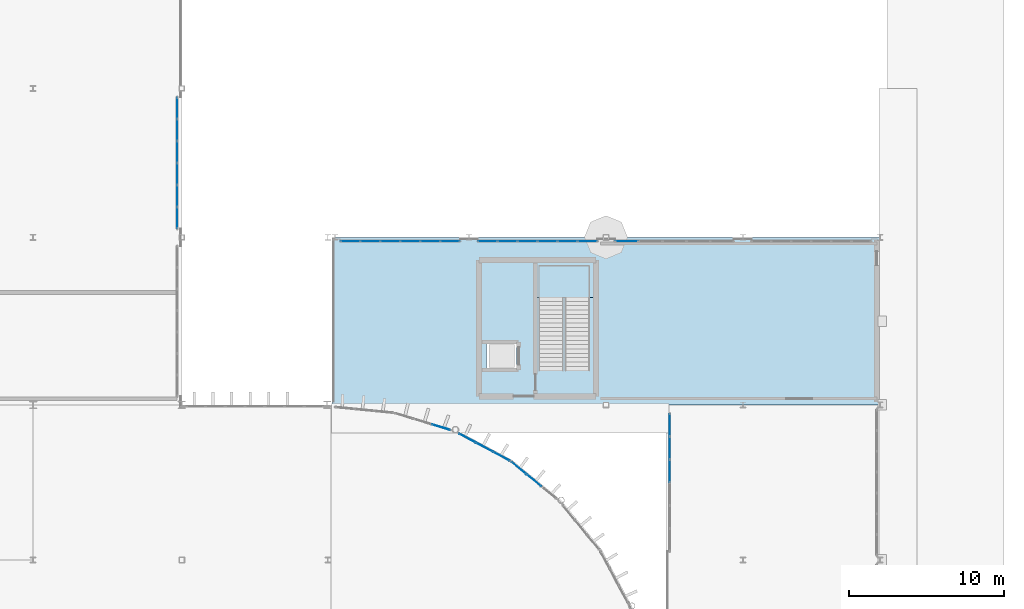
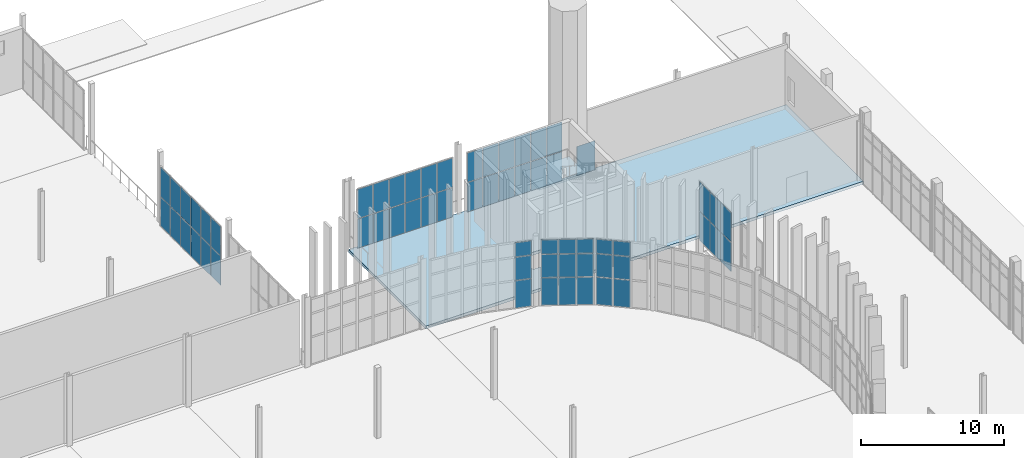
# One storey, part 86 of 139: 61 plates, 2 slabs, 9 elements without a shape of their own.
"""IFC4 building model written with IfcOpenShell, lengths in metres."""

from ifc_helpers import new_model, si_unit, direction, frame, origin, origin_2d, place, context, subcontext, project, spatial, polyline, rectangle, outline, extrude, material, layer, layer_set, type_object, element, aggregate, save


model = new_model("IFC4")

# Units and contexts
model_context = context("Model", 3, precision=1e-05, world=origin(), true_north=direction((0.0, 1.0)))
body_context = subcontext(model_context, "Body", "Model", "MODEL_VIEW")
ifc_project = project(units=[si_unit("LENGTHUNIT", "METRE"), si_unit("AREAUNIT", "SQUARE_METRE"), si_unit("VOLUMEUNIT", "CUBIC_METRE"), si_unit("PLANEANGLEUNIT", "RADIAN"), si_unit("MASSUNIT", "GRAM", prefix="KILO")], contexts=[model_context])

# Site, building, storey
site_placement = place(None, origin())
site = spatial("IfcSite", under=ifc_project, at=site_placement, CompositionType="ELEMENT")
building_placement = place(site_placement, origin())
building = spatial("IfcBuilding", under=site, at=building_placement, Name="Yeouljin Market Hall", CompositionType="ELEMENT")
storey_placement = place(building_placement, origin())
storey = spatial("IfcBuildingStorey", under=building, at=storey_placement, Name="L00", CompositionType="ELEMENT", Elevation=0.0)

# Curtain wall, plates
ifc_material_1 = material(Name="Thermally Broken Aluminium", Category="aluminium")
ifc_layer_1 = layer(ifc_material_1, 0.179931640625)
ifc_layer_set_1 = layer_set([ifc_layer_1], Name="Thermally Broken Aluminium")
curtain_wall_type_1 = type_object("IfcCurtainWallType", Name="CW_ApseCurved_System", PredefinedType="USERDEFINED", material=ifc_layer_set_1)
curtain_wall_1_placement = place(storey_placement, origin())
curtain_wall_1 = element("IfcCurtainWall", 1, at=curtain_wall_1_placement, inside=storey, type_object=curtain_wall_type_1, Name="Curtain wall CW-AP-EL00-13", ObjectType="CURTAIN WALL", PredefinedType="USERDEFINED")
ifc_material_2 = material(Name="Low-E Insulated Glass", Category="glass")
ifc_layer_2 = layer(ifc_material_2, 0.031982421875)
ifc_layer_set_2 = layer_set([ifc_layer_2], Name="Low-E Insulated Glass")
plate_type_1 = type_object("IfcPlateType", Name="CWPanel_AcousticGlass_32", PredefinedType="CURTAIN_PANEL", material=ifc_layer_set_2)
plate_1_placement = place(storey_placement, frame((153.126708984375, 73.92919921875, 0.0478515625), z_axis=(0.0, 0.0, 1.0), x_axis=(0.773017717982, -0.634384432096, 0.0)))
plate_1 = element("IfcPlate", 2, at=plate_1_placement, type_object=plate_type_1, Name="CW-03 panel 1.1", PredefinedType="CURTAIN_PANEL", context=body_context, shape_type="SweptSolid", body=[
    extrude(rectangle(XDim=1.185791015625, YDim=0.031982421875, at=origin_2d()), origin(), (0.0, 0.0, 1.0), 2.327880859375),
])
plate_2_placement = place(storey_placement, frame((153.126708984375, 73.92919921875, 2.423828125), z_axis=(0.0, 0.0, 1.0), x_axis=(0.773017717982, -0.634384432096, 0.0)))
plate_2 = element("IfcPlate", 3, at=plate_2_placement, type_object=plate_type_1, Name="CW-03 panel 1.2", PredefinedType="CURTAIN_PANEL", context=body_context, shape_type="SweptSolid", body=[
    extrude(rectangle(XDim=1.185791015625, YDim=0.031982421875, at=origin_2d()), origin(), (0.0, 0.0, 1.0), 1.951904296875),
])
plate_3_placement = place(storey_placement, frame((153.126708984375, 73.92919921875, 4.424072265625), z_axis=(0.0, 0.0, 1.0), x_axis=(0.773017717982, -0.634384432096, 0.0)))
plate_3 = element("IfcPlate", 4, at=plate_3_placement, type_object=plate_type_1, Name="CW-03 panel 1.3", PredefinedType="CURTAIN_PANEL", context=body_context, shape_type="SweptSolid", body=[
    extrude(rectangle(XDim=1.185791015625, YDim=0.031982421875, at=origin_2d()), origin(), (0.0, 0.0, 1.0), 1.2080078125),
])
plate_4_placement = place(storey_placement, frame((154.089599609375, 73.138916015625, 0.0478515625), z_axis=(0.0, 0.0, 1.0), x_axis=(0.773017717982, -0.634384432096, 0.0)))
plate_4 = element("IfcPlate", 5, at=plate_4_placement, type_object=plate_type_1, Name="CW-03 panel 2.1", PredefinedType="CURTAIN_PANEL", context=body_context, shape_type="SweptSolid", body=[
    extrude(rectangle(XDim=1.209716796875, YDim=0.031982421875, at=origin_2d()), origin(), (0.0, 0.0, 1.0), 2.327880859375),
])
plate_5_placement = place(storey_placement, frame((154.089599609375, 73.138916015625, 2.423828125), z_axis=(0.0, 0.0, 1.0), x_axis=(0.773017717982, -0.634384432096, 0.0)))
plate_5 = element("IfcPlate", 6, at=plate_5_placement, type_object=plate_type_1, Name="CW-03 panel 2.2", PredefinedType="CURTAIN_PANEL", context=body_context, shape_type="SweptSolid", body=[
    extrude(rectangle(XDim=1.209716796875, YDim=0.031982421875, at=origin_2d()), origin(), (0.0, 0.0, 1.0), 1.951904296875),
])
plate_6_placement = place(storey_placement, frame((154.089599609375, 73.138916015625, 4.424072265625), z_axis=(0.0, 0.0, 1.0), x_axis=(0.773017717982, -0.634384432096, 0.0)))
plate_6 = element("IfcPlate", 7, at=plate_6_placement, type_object=plate_type_1, Name="CW-03 panel 2.3", PredefinedType="CURTAIN_PANEL", context=body_context, shape_type="SweptSolid", body=[
    extrude(rectangle(XDim=1.209716796875, YDim=0.031982421875, at=origin_2d()), origin(), (0.0, 0.0, 1.0), 1.2080078125),
])
aggregate(curtain_wall_1, [plate_1, plate_2, plate_3, plate_4, plate_5, plate_6])

curtain_wall_2_placement = place(storey_placement, origin())
curtain_wall_2 = element("IfcCurtainWall", 8, at=curtain_wall_2_placement, inside=storey, type_object=curtain_wall_type_1, Name="Curtain wall CW-AP-EL00-14", ObjectType="CURTAIN WALL", PredefinedType="USERDEFINED")
plate_7_placement = place(storey_placement, frame((149.802490234375, 75.8564453125, 0.0478515625), z_axis=(0.0, 0.0, 1.0), x_axis=(0.881931478712, -0.471377626598, 0.0)))
plate_7 = element("IfcPlate", 9, at=plate_7_placement, type_object=plate_type_1, Name="CW-03 panel 1.1", PredefinedType="CURTAIN_PANEL", context=body_context, shape_type="SweptSolid", body=[
    extrude(rectangle(XDim=1.185791015625, YDim=0.031982421875, at=origin_2d()), origin(), (0.0, 0.0, 1.0), 2.327880859375),
])
plate_8_placement = place(storey_placement, frame((149.802490234375, 75.8564453125, 2.423828125), z_axis=(0.0, 0.0, 1.0), x_axis=(0.881931478712, -0.471377626598, 0.0)))
plate_8 = element("IfcPlate", 10, at=plate_8_placement, type_object=plate_type_1, Name="CW-03 panel 1.2", PredefinedType="CURTAIN_PANEL", context=body_context, shape_type="SweptSolid", body=[
    extrude(rectangle(XDim=1.185791015625, YDim=0.031982421875, at=origin_2d()), origin(), (0.0, 0.0, 1.0), 1.951904296875),
])
plate_9_placement = place(storey_placement, frame((149.802490234375, 75.8564453125, 4.424072265625), z_axis=(0.0, 0.0, 1.0), x_axis=(0.881931478712, -0.471377626598, 0.0)))
plate_9 = element("IfcPlate", 11, at=plate_9_placement, type_object=plate_type_1, Name="CW-03 panel 1.3", PredefinedType="CURTAIN_PANEL", context=body_context, shape_type="SweptSolid", body=[
    extrude(rectangle(XDim=1.185791015625, YDim=0.031982421875, at=origin_2d()), origin(), (0.0, 0.0, 1.0), 1.2080078125),
])
plate_10_placement = place(storey_placement, frame((150.901123046875, 75.269287109375, 0.0478515625), z_axis=(0.0, 0.0, 1.0), x_axis=(0.881931478712, -0.471377626598, 0.0)))
plate_10 = element("IfcPlate", 12, at=plate_10_placement, type_object=plate_type_1, Name="CW-03 panel 2.1", PredefinedType="CURTAIN_PANEL", context=body_context, shape_type="SweptSolid", body=[
    extrude(rectangle(XDim=1.209716796875, YDim=0.031982421875, at=origin_2d()), origin(), (0.0, 0.0, 1.0), 2.327880859375),
])
plate_11_placement = place(storey_placement, frame((150.901123046875, 75.269287109375, 2.423828125), z_axis=(0.0, 0.0, 1.0), x_axis=(0.881931478712, -0.471377626598, 0.0)))
plate_11 = element("IfcPlate", 13, at=plate_11_placement, type_object=plate_type_1, Name="CW-03 panel 2.2", PredefinedType="CURTAIN_PANEL", context=body_context, shape_type="SweptSolid", body=[
    extrude(rectangle(XDim=1.209716796875, YDim=0.031982421875, at=origin_2d()), origin(), (0.0, 0.0, 1.0), 1.951904296875),
])
plate_12_placement = place(storey_placement, frame((150.901123046875, 75.269287109375, 4.424072265625), z_axis=(0.0, 0.0, 1.0), x_axis=(0.881931478712, -0.471377626598, 0.0)))
plate_12 = element("IfcPlate", 14, at=plate_12_placement, type_object=plate_type_1, Name="CW-03 panel 2.3", PredefinedType="CURTAIN_PANEL", context=body_context, shape_type="SweptSolid", body=[
    extrude(rectangle(XDim=1.209716796875, YDim=0.031982421875, at=origin_2d()), origin(), (0.0, 0.0, 1.0), 1.2080078125),
])
plate_13_placement = place(storey_placement, frame((151.999755859375, 74.68212890625, 0.0478515625), z_axis=(0.0, 0.0, 1.0), x_axis=(0.881931478712, -0.471377626598, 0.0)))
plate_13 = element("IfcPlate", 15, at=plate_13_placement, type_object=plate_type_1, Name="CW-03 panel 3.1", PredefinedType="CURTAIN_PANEL", context=body_context, shape_type="SweptSolid", body=[
    extrude(rectangle(XDim=1.185791015625, YDim=0.031982421875, at=origin_2d()), origin(), (0.0, 0.0, 1.0), 2.327880859375),
])
plate_14_placement = place(storey_placement, frame((151.999755859375, 74.68212890625, 2.423828125), z_axis=(0.0, 0.0, 1.0), x_axis=(0.881931478712, -0.471377626598, 0.0)))
plate_14 = element("IfcPlate", 16, at=plate_14_placement, type_object=plate_type_1, Name="CW-03 panel 3.2", PredefinedType="CURTAIN_PANEL", context=body_context, shape_type="SweptSolid", body=[
    extrude(rectangle(XDim=1.185791015625, YDim=0.031982421875, at=origin_2d()), origin(), (0.0, 0.0, 1.0), 1.951904296875),
])
plate_15_placement = place(storey_placement, frame((151.999755859375, 74.68212890625, 4.424072265625), z_axis=(0.0, 0.0, 1.0), x_axis=(0.881931478712, -0.471377626598, 0.0)))
plate_15 = element("IfcPlate", 17, at=plate_15_placement, type_object=plate_type_1, Name="CW-03 panel 3.3", PredefinedType="CURTAIN_PANEL", context=body_context, shape_type="SweptSolid", body=[
    extrude(rectangle(XDim=1.185791015625, YDim=0.031982421875, at=origin_2d()), origin(), (0.0, 0.0, 1.0), 1.2080078125),
])
aggregate(curtain_wall_2, [plate_7, plate_8, plate_9, plate_10, plate_11, plate_12, plate_13, plate_14, plate_15])

curtain_wall_3_placement = place(storey_placement, origin())
curtain_wall_3 = element("IfcCurtainWall", 18, at=curtain_wall_3_placement, inside=storey, type_object=curtain_wall_type_1, Name="Curtain wall CW-AP-EL00-15", ObjectType="CURTAIN WALL", PredefinedType="USERDEFINED")
plate_16_placement = place(storey_placement, frame((148.109130859375, 76.557861328125, 0.0478515625), z_axis=(0.0, 0.0, 1.0), x_axis=(0.95693988447, -0.290286164863, 0.0)))
plate_16 = element("IfcPlate", 19, at=plate_16_placement, type_object=plate_type_1, Name="CW-03 panel 3.1", PredefinedType="CURTAIN_PANEL", context=body_context, shape_type="SweptSolid", body=[
    extrude(rectangle(XDim=1.185791015625, YDim=0.031982421875, at=origin_2d()), origin(), (0.0, 0.0, 1.0), 2.327880859375),
])
plate_17_placement = place(storey_placement, frame((148.109130859375, 76.557861328125, 2.423828125), z_axis=(0.0, 0.0, 1.0), x_axis=(0.95693988447, -0.290286164863, 0.0)))
plate_17 = element("IfcPlate", 20, at=plate_17_placement, type_object=plate_type_1, Name="CW-03 panel 3.2", PredefinedType="CURTAIN_PANEL", context=body_context, shape_type="SweptSolid", body=[
    extrude(rectangle(XDim=1.185791015625, YDim=0.031982421875, at=origin_2d()), origin(), (0.0, 0.0, 1.0), 1.951904296875),
])
plate_18_placement = place(storey_placement, frame((148.109130859375, 76.557861328125, 4.424072265625), z_axis=(0.0, 0.0, 1.0), x_axis=(0.95693988447, -0.290286164863, 0.0)))
plate_18 = element("IfcPlate", 21, at=plate_18_placement, type_object=plate_type_1, Name="CW-03 panel 3.3", PredefinedType="CURTAIN_PANEL", context=body_context, shape_type="SweptSolid", body=[
    extrude(rectangle(XDim=1.185791015625, YDim=0.031982421875, at=origin_2d()), origin(), (0.0, 0.0, 1.0), 1.2080078125),
])
aggregate(curtain_wall_3, [plate_16, plate_17, plate_18])

ifc_material_3 = material(Name="Thermally Broken Aluminium", Category="aluminium")
ifc_layer_3 = layer(ifc_material_3, 0.14990234375)
ifc_layer_set_3 = layer_set([ifc_layer_3], Name="Thermally Broken Aluminium")
curtain_wall_type_2 = type_object("IfcCurtainWallType", Name="CW_WingStorefront_System", PredefinedType="USERDEFINED", material=ifc_layer_set_3)
curtain_wall_4_placement = place(storey_placement, origin())
curtain_wall_4 = element("IfcCurtainWall", 22, at=curtain_wall_4_placement, inside=storey, type_object=curtain_wall_type_2, Name="Curtain wall CW-CRT-L00-09", ObjectType="CURTAIN WALL", PredefinedType="USERDEFINED")
ifc_material_4 = material(Name="Low-E Insulated Glass", Category="glass")
ifc_layer_4 = layer(ifc_material_4, 0.028076171875)
ifc_layer_set_4 = layer_set([ifc_layer_4], Name="Low-E Insulated Glass")
plate_type_2 = type_object("IfcPlateType", Name="CWPanel_LowE_28", PredefinedType="CURTAIN_PANEL", material=ifc_layer_set_4)
plate_19_placement = place(storey_placement, frame((142.2578125, 88.550048828125, 0.0478515625), z_axis=(0.0, 0.0, 1.0), x_axis=(1.0, 0.0, 0.0)))
plate_19 = element("IfcPlate", 23, at=plate_19_placement, type_object=plate_type_2, Name="CW-04 panel 1.1", PredefinedType="CURTAIN_PANEL", context=body_context, shape_type="SweptSolid", body=[
    extrude(rectangle(XDim=1.2197265625, YDim=0.028076171875, at=origin_2d()), origin(), (0.0, 0.0, 1.0), 2.488037109375),
])
plate_20_placement = place(storey_placement, frame((142.2578125, 88.550048828125, 2.583984375), z_axis=(0.0, 0.0, 1.0), x_axis=(1.0, 0.0, 0.0)))
plate_20 = element("IfcPlate", 24, at=plate_20_placement, type_object=plate_type_2, Name="CW-04 panel 1.2", PredefinedType="CURTAIN_PANEL", context=body_context, shape_type="SweptSolid", body=[
    extrude(rectangle(XDim=1.2197265625, YDim=0.028076171875, at=origin_2d()), origin(), (0.0, 0.0, 1.0), 2.488037109375),
])
plate_21_placement = place(storey_placement, frame((143.53759765625, 88.550048828125, 0.0478515625), z_axis=(0.0, 0.0, 1.0), x_axis=(1.0, 0.0, 0.0)))
plate_21 = element("IfcPlate", 25, at=plate_21_placement, type_object=plate_type_2, Name="CW-04 panel 2.1", PredefinedType="CURTAIN_PANEL", context=body_context, shape_type="SweptSolid", body=[
    extrude(rectangle(XDim=1.24365234375, YDim=0.028076171875, at=origin_2d()), origin(), (0.0, 0.0, 1.0), 2.488037109375),
])
plate_22_placement = place(storey_placement, frame((143.53759765625, 88.550048828125, 2.583984375), z_axis=(0.0, 0.0, 1.0), x_axis=(1.0, 0.0, 0.0)))
plate_22 = element("IfcPlate", 26, at=plate_22_placement, type_object=plate_type_2, Name="CW-04 panel 2.2", PredefinedType="CURTAIN_PANEL", context=body_context, shape_type="SweptSolid", body=[
    extrude(rectangle(XDim=1.24365234375, YDim=0.028076171875, at=origin_2d()), origin(), (0.0, 0.0, 1.0), 2.488037109375),
])
plate_23_placement = place(storey_placement, frame((144.8291015625, 88.550048828125, 0.0478515625), z_axis=(0.0, 0.0, 1.0), x_axis=(1.0, 0.0, 0.0)))
plate_23 = element("IfcPlate", 27, at=plate_23_placement, type_object=plate_type_2, Name="CW-04 panel 3.1", PredefinedType="CURTAIN_PANEL", context=body_context, shape_type="SweptSolid", body=[
    extrude(rectangle(XDim=1.24365234375, YDim=0.028076171875, at=origin_2d()), origin(), (0.0, 0.0, 1.0), 2.488037109375),
])
plate_24_placement = place(storey_placement, frame((144.8291015625, 88.550048828125, 2.583984375), z_axis=(0.0, 0.0, 1.0), x_axis=(1.0, 0.0, 0.0)))
plate_24 = element("IfcPlate", 28, at=plate_24_placement, type_object=plate_type_2, Name="CW-04 panel 3.2", PredefinedType="CURTAIN_PANEL", context=body_context, shape_type="SweptSolid", body=[
    extrude(rectangle(XDim=1.24365234375, YDim=0.028076171875, at=origin_2d()), origin(), (0.0, 0.0, 1.0), 2.488037109375),
])
plate_25_placement = place(storey_placement, frame((146.120849609375, 88.550048828125, 0.0478515625), z_axis=(0.0, 0.0, 1.0), x_axis=(1.0, 0.0, 0.0)))
plate_25 = element("IfcPlate", 29, at=plate_25_placement, type_object=plate_type_2, Name="CW-04 panel 4.1", PredefinedType="CURTAIN_PANEL", context=body_context, shape_type="SweptSolid", body=[
    extrude(rectangle(XDim=1.24365234375, YDim=0.028076171875, at=origin_2d()), origin(), (0.0, 0.0, 1.0), 2.488037109375),
])
plate_26_placement = place(storey_placement, frame((146.120849609375, 88.550048828125, 2.583984375), z_axis=(0.0, 0.0, 1.0), x_axis=(1.0, 0.0, 0.0)))
plate_26 = element("IfcPlate", 30, at=plate_26_placement, type_object=plate_type_2, Name="CW-04 panel 4.2", PredefinedType="CURTAIN_PANEL", context=body_context, shape_type="SweptSolid", body=[
    extrude(rectangle(XDim=1.24365234375, YDim=0.028076171875, at=origin_2d()), origin(), (0.0, 0.0, 1.0), 2.488037109375),
])
plate_27_placement = place(storey_placement, frame((147.41259765625, 88.550048828125, 0.0478515625), z_axis=(0.0, 0.0, 1.0), x_axis=(1.0, 0.0, 0.0)))
plate_27 = element("IfcPlate", 31, at=plate_27_placement, type_object=plate_type_2, Name="CW-04 panel 5.1", PredefinedType="CURTAIN_PANEL", context=body_context, shape_type="SweptSolid", body=[
    extrude(rectangle(XDim=1.24365234375, YDim=0.028076171875, at=origin_2d()), origin(), (0.0, 0.0, 1.0), 2.488037109375),
])
plate_28_placement = place(storey_placement, frame((147.41259765625, 88.550048828125, 2.583984375), z_axis=(0.0, 0.0, 1.0), x_axis=(1.0, 0.0, 0.0)))
plate_28 = element("IfcPlate", 32, at=plate_28_placement, type_object=plate_type_2, Name="CW-04 panel 5.2", PredefinedType="CURTAIN_PANEL", context=body_context, shape_type="SweptSolid", body=[
    extrude(rectangle(XDim=1.24365234375, YDim=0.028076171875, at=origin_2d()), origin(), (0.0, 0.0, 1.0), 2.488037109375),
])
plate_29_placement = place(storey_placement, frame((148.692138671875, 88.550048828125, 0.0478515625), z_axis=(0.0, 0.0, 1.0), x_axis=(1.0, 0.0, 0.0)))
plate_29 = element("IfcPlate", 33, at=plate_29_placement, type_object=plate_type_2, Name="CW-04 panel 6.1", PredefinedType="CURTAIN_PANEL", context=body_context, shape_type="SweptSolid", body=[
    extrude(rectangle(XDim=1.2197265625, YDim=0.028076171875, at=origin_2d()), origin(), (0.0, 0.0, 1.0), 2.488037109375),
])
plate_30_placement = place(storey_placement, frame((148.692138671875, 88.550048828125, 2.583984375), z_axis=(0.0, 0.0, 1.0), x_axis=(1.0, 0.0, 0.0)))
plate_30 = element("IfcPlate", 34, at=plate_30_placement, type_object=plate_type_2, Name="CW-04 panel 6.2", PredefinedType="CURTAIN_PANEL", context=body_context, shape_type="SweptSolid", body=[
    extrude(rectangle(XDim=1.2197265625, YDim=0.028076171875, at=origin_2d()), origin(), (0.0, 0.0, 1.0), 2.488037109375),
])
aggregate(curtain_wall_4, [plate_19, plate_20, plate_21, plate_22, plate_23, plate_24, plate_25, plate_26, plate_27, plate_28, plate_29, plate_30])

curtain_wall_5_placement = place(storey_placement, origin())
curtain_wall_5 = element("IfcCurtainWall", 35, at=curtain_wall_5_placement, inside=storey, type_object=curtain_wall_type_2, Name="Curtain wall CW-CRT-L00-10", ObjectType="CURTAIN WALL", PredefinedType="USERDEFINED")
plate_31_placement = place(storey_placement, frame((151.10791015625, 88.550048828125, 0.0478515625), z_axis=(0.0, 0.0, 1.0), x_axis=(1.0, 0.0, 0.0)))
plate_31 = element("IfcPlate", 36, at=plate_31_placement, type_object=plate_type_2, Name="CW-04 panel 1.1", PredefinedType="CURTAIN_PANEL", context=body_context, shape_type="SweptSolid", body=[
    extrude(rectangle(XDim=1.2197265625, YDim=0.028076171875, at=origin_2d()), origin(), (0.0, 0.0, 1.0), 2.488037109375),
])
plate_32_placement = place(storey_placement, frame((151.10791015625, 88.550048828125, 2.583984375), z_axis=(0.0, 0.0, 1.0), x_axis=(1.0, 0.0, 0.0)))
plate_32 = element("IfcPlate", 37, at=plate_32_placement, type_object=plate_type_2, Name="CW-04 panel 1.2", PredefinedType="CURTAIN_PANEL", context=body_context, shape_type="SweptSolid", body=[
    extrude(rectangle(XDim=1.2197265625, YDim=0.028076171875, at=origin_2d()), origin(), (0.0, 0.0, 1.0), 2.488037109375),
])
plate_33_placement = place(storey_placement, frame((152.387451171875, 88.550048828125, 0.0478515625), z_axis=(0.0, 0.0, 1.0), x_axis=(1.0, 0.0, 0.0)))
plate_33 = element("IfcPlate", 38, at=plate_33_placement, type_object=plate_type_2, Name="CW-04 panel 2.1", PredefinedType="CURTAIN_PANEL", context=body_context, shape_type="SweptSolid", body=[
    extrude(rectangle(XDim=1.24365234375, YDim=0.028076171875, at=origin_2d()), origin(), (0.0, 0.0, 1.0), 2.488037109375),
])
plate_34_placement = place(storey_placement, frame((152.387451171875, 88.550048828125, 2.583984375), z_axis=(0.0, 0.0, 1.0), x_axis=(1.0, 0.0, 0.0)))
plate_34 = element("IfcPlate", 39, at=plate_34_placement, type_object=plate_type_2, Name="CW-04 panel 2.2", PredefinedType="CURTAIN_PANEL", context=body_context, shape_type="SweptSolid", body=[
    extrude(rectangle(XDim=1.24365234375, YDim=0.028076171875, at=origin_2d()), origin(), (0.0, 0.0, 1.0), 2.488037109375),
])
plate_35_placement = place(storey_placement, frame((153.67919921875, 88.550048828125, 0.0478515625), z_axis=(0.0, 0.0, 1.0), x_axis=(1.0, 0.0, 0.0)))
plate_35 = element("IfcPlate", 40, at=plate_35_placement, type_object=plate_type_2, Name="CW-04 panel 3.1", PredefinedType="CURTAIN_PANEL", context=body_context, shape_type="SweptSolid", body=[
    extrude(rectangle(XDim=1.24365234375, YDim=0.028076171875, at=origin_2d()), origin(), (0.0, 0.0, 1.0), 2.488037109375),
])
plate_36_placement = place(storey_placement, frame((153.67919921875, 88.550048828125, 2.583984375), z_axis=(0.0, 0.0, 1.0), x_axis=(1.0, 0.0, 0.0)))
plate_36 = element("IfcPlate", 41, at=plate_36_placement, type_object=plate_type_2, Name="CW-04 panel 3.2", PredefinedType="CURTAIN_PANEL", context=body_context, shape_type="SweptSolid", body=[
    extrude(rectangle(XDim=1.24365234375, YDim=0.028076171875, at=origin_2d()), origin(), (0.0, 0.0, 1.0), 2.488037109375),
])
plate_37_placement = place(storey_placement, frame((154.970947265625, 88.550048828125, 0.0478515625), z_axis=(0.0, 0.0, 1.0), x_axis=(1.0, 0.0, 0.0)))
plate_37 = element("IfcPlate", 42, at=plate_37_placement, type_object=plate_type_2, Name="CW-04 panel 4.1", PredefinedType="CURTAIN_PANEL", context=body_context, shape_type="SweptSolid", body=[
    extrude(rectangle(XDim=1.24365234375, YDim=0.028076171875, at=origin_2d()), origin(), (0.0, 0.0, 1.0), 2.488037109375),
])
plate_38_placement = place(storey_placement, frame((154.970947265625, 88.550048828125, 2.583984375), z_axis=(0.0, 0.0, 1.0), x_axis=(1.0, 0.0, 0.0)))
plate_38 = element("IfcPlate", 43, at=plate_38_placement, type_object=plate_type_2, Name="CW-04 panel 4.2", PredefinedType="CURTAIN_PANEL", context=body_context, shape_type="SweptSolid", body=[
    extrude(rectangle(XDim=1.24365234375, YDim=0.028076171875, at=origin_2d()), origin(), (0.0, 0.0, 1.0), 2.488037109375),
])
plate_39_placement = place(storey_placement, frame((156.262451171875, 88.550048828125, 0.0478515625), z_axis=(0.0, 0.0, 1.0), x_axis=(1.0, 0.0, 0.0)))
plate_39 = element("IfcPlate", 44, at=plate_39_placement, type_object=plate_type_2, Name="CW-04 panel 5.1", PredefinedType="CURTAIN_PANEL", context=body_context, shape_type="SweptSolid", body=[
    extrude(rectangle(XDim=1.24365234375, YDim=0.028076171875, at=origin_2d()), origin(), (0.0, 0.0, 1.0), 2.488037109375),
])
plate_40_placement = place(storey_placement, frame((156.262451171875, 88.550048828125, 2.583984375), z_axis=(0.0, 0.0, 1.0), x_axis=(1.0, 0.0, 0.0)))
plate_40 = element("IfcPlate", 45, at=plate_40_placement, type_object=plate_type_2, Name="CW-04 panel 5.2", PredefinedType="CURTAIN_PANEL", context=body_context, shape_type="SweptSolid", body=[
    extrude(rectangle(XDim=1.24365234375, YDim=0.028076171875, at=origin_2d()), origin(), (0.0, 0.0, 1.0), 2.488037109375),
])
plate_41_placement = place(storey_placement, frame((157.542236328125, 88.550048828125, 0.0478515625), z_axis=(0.0, 0.0, 1.0), x_axis=(1.0, 0.0, 0.0)))
plate_41 = element("IfcPlate", 46, at=plate_41_placement, type_object=plate_type_2, Name="CW-04 panel 6.1", PredefinedType="CURTAIN_PANEL", context=body_context, shape_type="SweptSolid", body=[
    extrude(rectangle(XDim=1.2197265625, YDim=0.028076171875, at=origin_2d()), origin(), (0.0, 0.0, 1.0), 2.488037109375),
])
plate_42_placement = place(storey_placement, frame((157.542236328125, 88.550048828125, 2.583984375), z_axis=(0.0, 0.0, 1.0), x_axis=(1.0, 0.0, 0.0)))
plate_42 = element("IfcPlate", 47, at=plate_42_placement, type_object=plate_type_2, Name="CW-04 panel 6.2", PredefinedType="CURTAIN_PANEL", context=body_context, shape_type="SweptSolid", body=[
    extrude(rectangle(XDim=1.2197265625, YDim=0.028076171875, at=origin_2d()), origin(), (0.0, 0.0, 1.0), 2.488037109375),
])
aggregate(curtain_wall_5, [plate_31, plate_32, plate_33, plate_34, plate_35, plate_36, plate_37, plate_38, plate_39, plate_40, plate_41, plate_42])

# Curtain wall, plate
curtain_wall_6_placement = place(storey_placement, origin())
curtain_wall_6 = element("IfcCurtainWall", 48, at=curtain_wall_6_placement, inside=storey, type_object=curtain_wall_type_2, Name="Curtain wall CW-CRT-L00-11", ObjectType="CURTAIN WALL", PredefinedType="USERDEFINED")
plate_43_placement = place(storey_placement, frame((160.08203125, 88.550048828125, 0.0478515625), z_axis=(0.0, 0.0, 1.0), x_axis=(1.0, 0.0, 0.0)))
plate_43 = element("IfcPlate", 49, at=plate_43_placement, type_object=plate_type_2, Name="CW-04 panel 1.1", PredefinedType="CURTAIN_PANEL", context=body_context, shape_type="SweptSolid", body=[
    extrude(rectangle(XDim=1.468017578125, YDim=0.028076171875, at=origin_2d()), origin(), (0.0, 0.0, 1.0), 2.488037109375),
])
aggregate(curtain_wall_6, [plate_43])

# Curtain wall, plates
curtain_wall_7_placement = place(storey_placement, origin())
curtain_wall_7 = element("IfcCurtainWall", 50, at=curtain_wall_7_placement, inside=storey, type_object=curtain_wall_type_2, Name="Curtain wall CW-CRT-L00-14", ObjectType="CURTAIN WALL", PredefinedType="USERDEFINED")
plate_44_placement = place(storey_placement, frame((162.85009765625, 76.6962890625, 0.0478515625), z_axis=(0.0, 0.0, 1.0), x_axis=(0.0, -1.0, 0.0)))
plate_44 = element("IfcPlate", 51, at=plate_44_placement, type_object=plate_type_2, Name="CW-04 panel 1.1", PredefinedType="CURTAIN_PANEL", context=body_context, shape_type="SweptSolid", body=[
    extrude(rectangle(XDim=1.411376953125, YDim=0.028076171875, at=origin_2d()), origin(), (0.0, 0.0, 1.0), 2.488037109375),
])
plate_45_placement = place(storey_placement, frame((162.85009765625, 76.6962890625, 2.583984375), z_axis=(0.0, 0.0, 1.0), x_axis=(0.0, -1.0, 0.0)))
plate_45 = element("IfcPlate", 52, at=plate_45_placement, type_object=plate_type_2, Name="CW-04 panel 1.2", PredefinedType="CURTAIN_PANEL", context=body_context, shape_type="SweptSolid", body=[
    extrude(rectangle(XDim=1.411376953125, YDim=0.028076171875, at=origin_2d()), origin(), (0.0, 0.0, 1.0), 2.488037109375),
])
plate_46_placement = place(storey_placement, frame((162.85009765625, 75.22509765625, 0.0478515625), z_axis=(0.0, 0.0, 1.0), x_axis=(0.0, -1.0, 0.0)))
plate_46 = element("IfcPlate", 53, at=plate_46_placement, type_object=plate_type_2, Name="CW-04 panel 2.1", PredefinedType="CURTAIN_PANEL", context=body_context, shape_type="SweptSolid", body=[
    extrude(rectangle(XDim=1.435302734375, YDim=0.028076171875, at=origin_2d()), origin(), (0.0, 0.0, 1.0), 2.488037109375),
])
plate_47_placement = place(storey_placement, frame((162.85009765625, 75.22509765625, 2.583984375), z_axis=(0.0, 0.0, 1.0), x_axis=(0.0, -1.0, 0.0)))
plate_47 = element("IfcPlate", 54, at=plate_47_placement, type_object=plate_type_2, Name="CW-04 panel 2.2", PredefinedType="CURTAIN_PANEL", context=body_context, shape_type="SweptSolid", body=[
    extrude(rectangle(XDim=1.435302734375, YDim=0.028076171875, at=origin_2d()), origin(), (0.0, 0.0, 1.0), 2.488037109375),
])
plate_48_placement = place(storey_placement, frame((162.85009765625, 73.74169921875, 0.0478515625), z_axis=(0.0, 0.0, 1.0), x_axis=(0.0, -1.0, 0.0)))
plate_48 = element("IfcPlate", 55, at=plate_48_placement, type_object=plate_type_2, Name="CW-04 panel 3.1", PredefinedType="CURTAIN_PANEL", context=body_context, shape_type="SweptSolid", body=[
    extrude(rectangle(XDim=1.435302734375, YDim=0.028076171875, at=origin_2d()), origin(), (0.0, 0.0, 1.0), 2.488037109375),
])
plate_49_placement = place(storey_placement, frame((162.85009765625, 73.74169921875, 2.583984375), z_axis=(0.0, 0.0, 1.0), x_axis=(0.0, -1.0, 0.0)))
plate_49 = element("IfcPlate", 56, at=plate_49_placement, type_object=plate_type_2, Name="CW-04 panel 3.2", PredefinedType="CURTAIN_PANEL", context=body_context, shape_type="SweptSolid", body=[
    extrude(rectangle(XDim=1.435302734375, YDim=0.028076171875, at=origin_2d()), origin(), (0.0, 0.0, 1.0), 2.488037109375),
])
aggregate(curtain_wall_7, [plate_44, plate_45, plate_46, plate_47, plate_48, plate_49])

curtain_wall_8_placement = place(storey_placement, origin())
curtain_wall_8 = element("IfcCurtainWall", 57, at=curtain_wall_8_placement, inside=storey, type_object=curtain_wall_type_2, Name="Curtain wall CW-CRT-L00-19", ObjectType="CURTAIN WALL", PredefinedType="USERDEFINED")
plate_50_placement = place(storey_placement, frame((131.10009765625, 97.129638671875, 0.0478515625), z_axis=(0.0, 0.0, 1.0), x_axis=(0.0, -1.0, 0.0)))
plate_50 = element("IfcPlate", 58, at=plate_50_placement, type_object=plate_type_2, Name="CW-04 panel 1.1", PredefinedType="CURTAIN_PANEL", context=body_context, shape_type="SweptSolid", body=[
    extrude(rectangle(XDim=1.3447265625, YDim=0.028076171875, at=origin_2d()), origin(), (0.0, 0.0, 1.0), 2.488037109375),
])
plate_51_placement = place(storey_placement, frame((131.10009765625, 97.129638671875, 2.583984375), z_axis=(0.0, 0.0, 1.0), x_axis=(0.0, -1.0, 0.0)))
plate_51 = element("IfcPlate", 59, at=plate_51_placement, type_object=plate_type_2, Name="CW-04 panel 1.2", PredefinedType="CURTAIN_PANEL", context=body_context, shape_type="SweptSolid", body=[
    extrude(rectangle(XDim=1.3447265625, YDim=0.028076171875, at=origin_2d()), origin(), (0.0, 0.0, 1.0), 2.488037109375),
])
plate_52_placement = place(storey_placement, frame((131.10009765625, 95.72509765625, 0.0478515625), z_axis=(0.0, 0.0, 1.0), x_axis=(0.0, -1.0, 0.0)))
plate_52 = element("IfcPlate", 60, at=plate_52_placement, type_object=plate_type_2, Name="CW-04 panel 2.1", PredefinedType="CURTAIN_PANEL", context=body_context, shape_type="SweptSolid", body=[
    extrude(rectangle(XDim=1.36865234375, YDim=0.028076171875, at=origin_2d()), origin(), (0.0, 0.0, 1.0), 2.488037109375),
])
plate_53_placement = place(storey_placement, frame((131.10009765625, 95.72509765625, 2.583984375), z_axis=(0.0, 0.0, 1.0), x_axis=(0.0, -1.0, 0.0)))
plate_53 = element("IfcPlate", 61, at=plate_53_placement, type_object=plate_type_2, Name="CW-04 panel 2.2", PredefinedType="CURTAIN_PANEL", context=body_context, shape_type="SweptSolid", body=[
    extrude(rectangle(XDim=1.36865234375, YDim=0.028076171875, at=origin_2d()), origin(), (0.0, 0.0, 1.0), 2.488037109375),
])
plate_54_placement = place(storey_placement, frame((131.10009765625, 94.308349609375, 0.0478515625), z_axis=(0.0, 0.0, 1.0), x_axis=(0.0, -1.0, 0.0)))
plate_54 = element("IfcPlate", 62, at=plate_54_placement, type_object=plate_type_2, Name="CW-04 panel 3.1", PredefinedType="CURTAIN_PANEL", context=body_context, shape_type="SweptSolid", body=[
    extrude(rectangle(XDim=1.36865234375, YDim=0.028076171875, at=origin_2d()), origin(), (0.0, 0.0, 1.0), 2.488037109375),
])
plate_55_placement = place(storey_placement, frame((131.10009765625, 94.308349609375, 2.583984375), z_axis=(0.0, 0.0, 1.0), x_axis=(0.0, -1.0, 0.0)))
plate_55 = element("IfcPlate", 63, at=plate_55_placement, type_object=plate_type_2, Name="CW-04 panel 3.2", PredefinedType="CURTAIN_PANEL", context=body_context, shape_type="SweptSolid", body=[
    extrude(rectangle(XDim=1.36865234375, YDim=0.028076171875, at=origin_2d()), origin(), (0.0, 0.0, 1.0), 2.488037109375),
])
plate_56_placement = place(storey_placement, frame((131.10009765625, 92.8916015625, 0.0478515625), z_axis=(0.0, 0.0, 1.0), x_axis=(0.0, -1.0, 0.0)))
plate_56 = element("IfcPlate", 64, at=plate_56_placement, type_object=plate_type_2, Name="CW-04 panel 4.1", PredefinedType="CURTAIN_PANEL", context=body_context, shape_type="SweptSolid", body=[
    extrude(rectangle(XDim=1.36865234375, YDim=0.028076171875, at=origin_2d()), origin(), (0.0, 0.0, 1.0), 2.488037109375),
])
plate_57_placement = place(storey_placement, frame((131.10009765625, 92.8916015625, 2.583984375), z_axis=(0.0, 0.0, 1.0), x_axis=(0.0, -1.0, 0.0)))
plate_57 = element("IfcPlate", 65, at=plate_57_placement, type_object=plate_type_2, Name="CW-04 panel 4.2", PredefinedType="CURTAIN_PANEL", context=body_context, shape_type="SweptSolid", body=[
    extrude(rectangle(XDim=1.36865234375, YDim=0.028076171875, at=origin_2d()), origin(), (0.0, 0.0, 1.0), 2.488037109375),
])
plate_58_placement = place(storey_placement, frame((131.10009765625, 91.47509765625, 0.0478515625), z_axis=(0.0, 0.0, 1.0), x_axis=(0.0, -1.0, 0.0)))
plate_58 = element("IfcPlate", 66, at=plate_58_placement, type_object=plate_type_2, Name="CW-04 panel 5.1", PredefinedType="CURTAIN_PANEL", context=body_context, shape_type="SweptSolid", body=[
    extrude(rectangle(XDim=1.36865234375, YDim=0.028076171875, at=origin_2d()), origin(), (0.0, 0.0, 1.0), 2.488037109375),
])
plate_59_placement = place(storey_placement, frame((131.10009765625, 91.47509765625, 2.583984375), z_axis=(0.0, 0.0, 1.0), x_axis=(0.0, -1.0, 0.0)))
plate_59 = element("IfcPlate", 67, at=plate_59_placement, type_object=plate_type_2, Name="CW-04 panel 5.2", PredefinedType="CURTAIN_PANEL", context=body_context, shape_type="SweptSolid", body=[
    extrude(rectangle(XDim=1.36865234375, YDim=0.028076171875, at=origin_2d()), origin(), (0.0, 0.0, 1.0), 2.488037109375),
])
plate_60_placement = place(storey_placement, frame((131.10009765625, 90.0703125, 0.0478515625), z_axis=(0.0, 0.0, 1.0), x_axis=(0.0, -1.0, 0.0)))
plate_60 = element("IfcPlate", 68, at=plate_60_placement, type_object=plate_type_2, Name="CW-04 panel 6.1", PredefinedType="CURTAIN_PANEL", context=body_context, shape_type="SweptSolid", body=[
    extrude(rectangle(XDim=1.3447265625, YDim=0.028076171875, at=origin_2d()), origin(), (0.0, 0.0, 1.0), 2.488037109375),
])
plate_61_placement = place(storey_placement, frame((131.10009765625, 90.0703125, 2.583984375), z_axis=(0.0, 0.0, 1.0), x_axis=(0.0, -1.0, 0.0)))
plate_61 = element("IfcPlate", 69, at=plate_61_placement, type_object=plate_type_2, Name="CW-04 panel 6.2", PredefinedType="CURTAIN_PANEL", context=body_context, shape_type="SweptSolid", body=[
    extrude(rectangle(XDim=1.3447265625, YDim=0.028076171875, at=origin_2d()), origin(), (0.0, 0.0, 1.0), 2.488037109375),
])
aggregate(curtain_wall_8, [plate_50, plate_51, plate_52, plate_53, plate_54, plate_55, plate_56, plate_57, plate_58, plate_59, plate_60, plate_61])

# Slab
ifc_material_5 = material(Name="Concrete C30/37", Category="concrete")
ifc_layer_5 = layer(ifc_material_5, 0.25)
ifc_layer_set_5 = layer_set([ifc_layer_5], Name="Concrete C30/37")
slab_type_1 = type_object("IfcSlabType", Name="SLB_WING_250", PredefinedType="FLOOR", material=ifc_layer_set_5)
slab_1_placement = place(storey_placement, frame((0.0, 0.0, -0.25)))
element("IfcSlab", 70, at=slab_1_placement, inside=storey, type_object=slab_type_1, Name="Structural slab SLB-L00-EN", PredefinedType="FLOOR", context=body_context, shape_type="SweptSolid", body=[
    extrude(outline(polyline([(141.080078125, 78.0), (176.39990234375, 78.0), (176.39990234375, 88.800048828125), (141.080078125, 88.800048828125), (141.080078125, 78.0)]), holes=[polyline([(151.034912109375, 80.25), (152.985107421875, 80.25), (152.985107421875, 82.050048828125), (151.034912109375, 82.050048828125), (151.034912109375, 80.25)])]), origin(), (0.0, 0.0, 1.0), 0.25),
])

# Stair, slab
ifc_material_6 = material(Name="Concrete C30/37", Category="concrete")
stair_type = type_object("IfcStairType", Name="Stair_Core_L00_L01", PredefinedType="TWO_STRAIGHT_RUN_STAIR", material=ifc_material_6)
stair_placement = place(storey_placement, origin())
stair = element("IfcStair", 71, at=stair_placement, inside=storey, type_object=stair_type, Name="Enclosed exit stair ST-C4-L00", PredefinedType="TWO_STRAIGHT_RUN_STAIR")
ifc_material_7 = material(Name="Concrete C30/37", Category="concrete")
ifc_layer_6 = layer(ifc_material_7, 0.199951171875)
ifc_layer_set_6 = layer_set([ifc_layer_6], Name="Concrete C30/37")
slab_type_2 = type_object("IfcSlabType", Name="StairLanding_200", PredefinedType="LANDING", material=ifc_layer_set_6)
slab_2_placement = place(storey_placement, frame((0.0, 0.0, 2.800048828125)))
slab_2 = element("IfcSlab", 72, at=slab_2_placement, type_object=slab_type_2, Name="ST-C4-L00 landing 1", PredefinedType="LANDING", context=body_context, shape_type="SweptSolid", body=[
    extrude(outline(polyline([(154.219970703125, 84.919921875), (157.969970703125, 84.919921875), (157.969970703125, 87.22998046875), (154.219970703125, 87.22998046875), (154.219970703125, 84.919921875)])), origin(), (0.0, 0.0, 1.0), 0.199951171875),
])
aggregate(stair, [slab_2])

save(model, "model.ifc")
